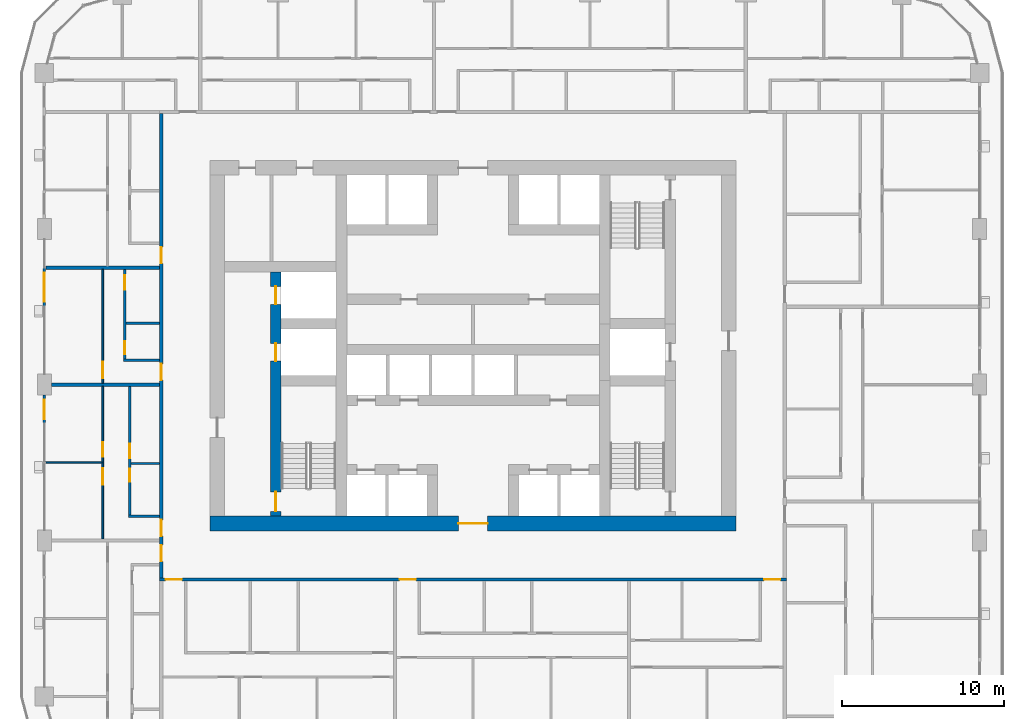
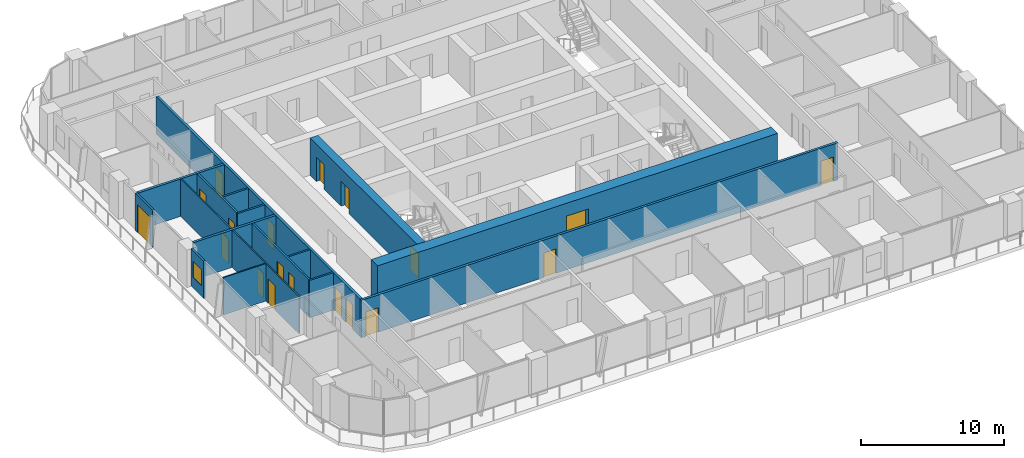
# One storey, part 10 of 22: 19 doors, 17 walls, 1 window, 20 openings.
"""IFC4 building model written with IfcOpenShell, lengths in metres."""

from ifc_helpers import new_model, si_unit, direction, frame, frame_2d, origin, place, context, subcontext, project, spatial, rectangle, extrude, material, layer, layer_set, type_object, element, fill, save


model = new_model("IFC4")

# Units and contexts
model_context = context("Model", 3, precision=1e-05, world=origin(), true_north=direction((0.0, 1.0)))
body_context = subcontext(model_context, "Body", "Model", "MODEL_VIEW")
ifc_project = project(units=[si_unit("LENGTHUNIT", "METRE"), si_unit("AREAUNIT", "SQUARE_METRE"), si_unit("VOLUMEUNIT", "CUBIC_METRE"), si_unit("PLANEANGLEUNIT", "RADIAN"), si_unit("MASSUNIT", "GRAM", prefix="KILO")], contexts=[model_context])

# Site, building, storey
site_placement = place(None, origin())
site = spatial("IfcSite", under=ifc_project, at=site_placement, CompositionType="ELEMENT")
building_placement = place(site_placement, origin())
building = spatial("IfcBuilding", under=site, at=building_placement, Name="Madar Terraces", CompositionType="ELEMENT")
storey_placement = place(building_placement, frame((0.0, 0.0, 62.800048828125)))
storey = spatial("IfcBuildingStorey", under=building, at=storey_placement, Name="L15", CompositionType="ELEMENT", Elevation=62.800048828125)

# Wall, openings, doors
ifc_material_1 = material(Name="Concrete C80/95", Category="concrete")
ifc_layer_1 = layer(ifc_material_1, 0.64990234375)
ifc_layer_set_1 = layer_set([ifc_layer_1], Name="Concrete C80/95 (CIW2 RC wall 650)")
wall_type_1 = type_object("IfcWallType", Name="CIW2 RC wall 650", PredefinedType="SHEAR", material=ifc_layer_set_1)
wall_1_placement = place(storey_placement, frame((19.050048828125, 15.89990234375, 0.0), z_axis=(0.0, 0.0, 1.0), x_axis=(0.0, 1.0, 0.0)))
wall_1 = element("IfcWall", 1, at=wall_1_placement, inside=storey, type_object=wall_type_1, Name="CORE SHAFT WALL", PredefinedType="SHEAR", context=body_context, shape_type="SweptSolid", body=[
    extrude(rectangle(XDim=15.025146484375, YDim=0.64990234375, at=frame_2d((7.5126953125, 0.0))), origin(), (0.0, 0.0, 1.0), 3.199951171875),
])
opening_1_placement = place(wall_1_placement, frame((9.550048828125, 0.0, 0.0)))
opening_1 = element("IfcOpeningElement", 2, at=opening_1_placement, cuts=wall_1, Name="Opening LD", PredefinedType="OPENING", context=body_context, shape_type="SweptSolid", body=[
    extrude(rectangle(XDim=1.10009765625, YDim=2.10009765625, at=frame_2d((0.550048828125, 1.050048828125))), frame((0.0, 0.3349609375, 0.0), z_axis=(0.0, -1.0, 0.0), x_axis=(1.0, 0.0, 0.0)), (0.0, 0.0, 1.0), 0.669921875),
])
opening_2_placement = place(wall_1_placement, frame((13.050048828125, 0.0, 0.0)))
opening_2 = element("IfcOpeningElement", 3, at=opening_2_placement, cuts=wall_1, Name="Opening LD", PredefinedType="OPENING", context=body_context, shape_type="SweptSolid", body=[
    extrude(rectangle(XDim=1.10009765625, YDim=2.10009765625, at=frame_2d((0.550048828125, 1.050048828125))), frame((0.0, 0.3349609375, 0.0), z_axis=(0.0, -1.0, 0.0), x_axis=(1.0, 0.0, 0.0)), (0.0, 0.0, 1.0), 0.669921875),
])
opening_3_placement = place(wall_1_placement, frame((0.300048828125, 0.0, 0.0)))
opening_3 = element("IfcOpeningElement", 4, at=opening_3_placement, cuts=wall_1, Name="Opening SD1", PredefinedType="OPENING", context=body_context, shape_type="SweptSolid", body=[
    extrude(rectangle(XDim=1.199951171875, YDim=2.10009765625, at=frame_2d((0.60009765625, 1.050048828125))), frame((0.0, 0.3349609375, 0.0), z_axis=(0.0, -1.0, 0.0), x_axis=(1.0, 0.0, 0.0)), (0.0, 0.0, 1.0), 0.669921875),
])
ifc_material_2 = material(Name="Stainless steel panel", Category="steel")
door_type_1 = type_object("IfcDoorType", Name="Lift landing door 1100 x 2100", OperationType="DOUBLE_DOOR_SLIDING", PredefinedType="DOOR", material=ifc_material_2)
door_1_placement = place(opening_1_placement, origin())
door_1 = element("IfcDoor", 5, at=door_1_placement, inside=storey, type_object=door_type_1, Name="LIFT LANDING DOOR", OperationType="DOUBLE_DOOR_SLIDING", OverallHeight=2.10009765625, OverallWidth=1.10009765625, PredefinedType="DOOR", context=body_context, shape_type="SweptSolid", body=[
    extrude(rectangle(XDim=1.10009765625, YDim=2.10009765625, at=frame_2d((0.550048828125, 1.050048828125))), frame((0.0, 0.02490234375, 0.0), z_axis=(0.0, -1.0, 0.0), x_axis=(1.0, 0.0, 0.0)), (0.0, 0.0, 1.0), 0.050048828125),
])
fill(opening_1, door_1)
door_2_placement = place(opening_2_placement, origin())
door_2 = element("IfcDoor", 6, at=door_2_placement, inside=storey, type_object=door_type_1, Name="LIFT LANDING DOOR", OperationType="DOUBLE_DOOR_SLIDING", OverallHeight=2.10009765625, OverallWidth=1.10009765625, PredefinedType="DOOR", context=body_context, shape_type="SweptSolid", body=[
    extrude(rectangle(XDim=1.10009765625, YDim=2.10009765625, at=frame_2d((0.550048828125, 1.050048828125))), frame((0.0, 0.02490234375, 0.0), z_axis=(0.0, -1.0, 0.0), x_axis=(1.0, 0.0, 0.0)), (0.0, 0.0, 1.0), 0.050048828125),
])
fill(opening_2, door_2)
ifc_material_3 = material(Name="Steel door leaf", Category="steel")
door_type_2 = type_object("IfcDoorType", Name="Stair door 1200 x 2100", OperationType="NOTDEFINED", PredefinedType="DOOR", material=ifc_material_3)
door_3_placement = place(opening_3_placement, frame((1.199951171875, 0.0, 0.0), z_axis=(0.0, 0.0, 1.0), x_axis=(-1.0, 0.0, 0.0)))
door_3 = element("IfcDoor", 7, at=door_3_placement, inside=storey, type_object=door_type_2, Name="STAIR DOOR", OperationType="SINGLE_SWING_LEFT", OverallHeight=2.10009765625, OverallWidth=1.199951171875, PredefinedType="DOOR", context=body_context, shape_type="SweptSolid", body=[
    extrude(rectangle(XDim=1.199951171875, YDim=2.10009765625, at=frame_2d((0.60009765625, 1.050048828125))), frame((0.0, 0.02490234375, 0.0), z_axis=(0.0, -1.0, 0.0), x_axis=(1.0, 0.0, 0.0)), (0.0, 0.0, 1.0), 0.050048828125),
])
fill(opening_3, door_3)

# Wall, opening, door
ifc_material_4 = material(Name="Concrete C80/95", Category="concrete")
ifc_layer_2 = layer(ifc_material_4, 0.89990234375)
ifc_layer_set_2 = layer_set([ifc_layer_2], Name="Concrete C80/95 (CRW2 RC wall 900)")
wall_type_2 = type_object("IfcWallType", Name="CRW2 RC wall 900", PredefinedType="SHEAR", material=ifc_layer_set_2)
wall_2_placement = place(storey_placement, frame((15.0, 15.449951171875, 0.0), z_axis=(0.0, 0.0, 1.0), x_axis=(1.0, 0.0, 0.0)))
wall_2 = element("IfcWall", 8, at=wall_2_placement, inside=storey, type_object=wall_type_2, Name="CORE OUTER WALL", PredefinedType="SHEAR", context=body_context, shape_type="SweptSolid", body=[
    extrude(rectangle(XDim=32.39990234375, YDim=0.89990234375, at=frame_2d((16.199951171875, 0.0))), origin(), (0.0, 0.0, 1.0), 3.199951171875),
])
opening_4_placement = place(wall_2_placement, frame((15.300048828125, 0.0, 0.0)))
opening_4 = element("IfcOpeningElement", 9, at=opening_4_placement, cuts=wall_2, Name="Opening KD1", PredefinedType="OPENING", context=body_context, shape_type="SweptSolid", body=[
    extrude(rectangle(XDim=1.800048828125, YDim=2.10009765625, at=frame_2d((0.89990234375, 1.050048828125))), frame((0.0, 0.4599609375, 0.0), z_axis=(0.0, -1.0, 0.0), x_axis=(1.0, 0.0, 0.0)), (0.0, 0.0, 1.0), 0.919921875),
])
ifc_material_5 = material(Name="Steel door leaf", Category="steel")
door_type_3 = type_object("IfcDoorType", Name="Lobby door pair 1800 x 2100", OperationType="DOUBLE_DOOR_SINGLE_SWING", PredefinedType="DOOR", material=ifc_material_5)
door_4_placement = place(opening_4_placement, frame((1.800048828125, 0.0, 0.0), z_axis=(0.0, 0.0, 1.0), x_axis=(-1.0, 0.0, 0.0)))
door_4 = element("IfcDoor", 10, at=door_4_placement, inside=storey, type_object=door_type_3, Name="LIFT LOBBY DOOR", OperationType="DOUBLE_DOOR_SINGLE_SWING", OverallHeight=2.10009765625, OverallWidth=1.800048828125, PredefinedType="DOOR", context=body_context, shape_type="SweptSolid", body=[
    extrude(rectangle(XDim=1.800048828125, YDim=2.10009765625, at=frame_2d((0.89990234375, 1.050048828125))), frame((0.0, 0.02490234375, 0.0), z_axis=(0.0, -1.0, 0.0), x_axis=(1.0, 0.0, 0.0)), (0.0, 0.0, 1.0), 0.050048828125),
])
fill(opening_4, door_4)

ifc_material_6 = material(Name="Aluminium composite panel, black, over insulated backing", Category="aluminium")
ifc_layer_3 = layer(ifc_material_6, 0.14990234375)
ifc_layer_set_3 = layer_set([ifc_layer_3], Name="Facade bay panel 150")
wall_type_3 = type_object("IfcWallType", Name="Facade bay panel 150", PredefinedType="SOLIDWALL", material=ifc_layer_set_3)
wall_3_placement = place(storey_placement, frame((4.800048828125, 31.199951171875, 0.0), z_axis=(0.0, 0.0, 1.0), x_axis=(0.0, -1.0, 0.0)))
wall_3 = element("IfcWall", 11, at=wall_3_placement, inside=storey, type_object=wall_type_3, Name="Facade bay panel", PredefinedType="SOLIDWALL", context=body_context, shape_type="SweptSolid", body=[
    extrude(rectangle(XDim=2.39990234375, YDim=0.14990234375, at=frame_2d((1.199951171875, 0.0))), origin(), (0.0, 0.0, 1.0), 3.199951171875),
])
opening_5_placement = place(wall_3_placement, frame((0.300048828125, 0.0, 0.0)))
opening_5 = element("IfcOpeningElement", 12, at=opening_5_placement, cuts=wall_3, Name="Opening ED1", PredefinedType="OPENING", context=body_context, shape_type="SweptSolid", body=[
    extrude(rectangle(XDim=1.800048828125, YDim=2.39990234375, at=frame_2d((0.89990234375, 1.199951171875))), frame((0.0, 0.0849609375, 0.0), z_axis=(0.0, -1.0, 0.0), x_axis=(1.0, 0.0, 0.0)), (0.0, 0.0, 1.0), 0.169921875),
])
ifc_material_7 = material(Name="Glass, clear, with black aluminium frame", Category="aluminium")
door_type_4 = type_object("IfcDoorType", Name="Balcony and terrace sliding door 1800 x 2400", OperationType="SLIDING_TO_LEFT", PredefinedType="DOOR", material=ifc_material_7)
door_5_placement = place(opening_5_placement, origin())
door_5 = element("IfcDoor", 13, at=door_5_placement, inside=storey, type_object=door_type_4, Name="Balcony door", OperationType="SLIDING_TO_LEFT", OverallHeight=2.39990234375, OverallWidth=1.800048828125, PredefinedType="DOOR", context=body_context, shape_type="SweptSolid", body=[
    extrude(rectangle(XDim=1.800048828125, YDim=2.39990234375, at=frame_2d((0.89990234375, 1.199951171875))), frame((0.0, 0.02490234375, 0.0), z_axis=(0.0, -1.0, 0.0), x_axis=(1.0, 0.0, 0.0)), (0.0, 0.0, 1.0), 0.050048828125),
])
fill(opening_5, door_5)

# Wall, opening, window
wall_4_placement = place(storey_placement, frame((4.800048828125, 23.35009765625, 0.0), z_axis=(0.0, 0.0, 1.0), x_axis=(0.0, -1.0, 0.0)))
wall_4 = element("IfcWall", 14, at=wall_4_placement, inside=storey, type_object=wall_type_3, Name="Facade bay panel", PredefinedType="SOLIDWALL", context=body_context, shape_type="SweptSolid", body=[
    extrude(rectangle(XDim=1.75, YDim=0.14990234375, at=frame_2d((0.875, 0.0))), origin(), (0.0, 0.0, 1.0), 3.199951171875),
])
opening_6_placement = place(wall_4_placement, frame((0.27490234375, 0.0, 0.89990234375)))
opening_6 = element("IfcOpeningElement", 15, at=opening_6_placement, cuts=wall_4, Name="Opening W1", PredefinedType="OPENING", context=body_context, shape_type="SweptSolid", body=[
    extrude(rectangle(XDim=1.199951171875, YDim=1.39990234375, at=frame_2d((0.60009765625, 0.699951171875))), frame((0.0, 0.0849609375, 0.0), z_axis=(0.0, -1.0, 0.0), x_axis=(1.0, 0.0, 0.0)), (0.0, 0.0, 1.0), 0.169921875),
])
ifc_material_8 = material(Name="Glass, clear, with black aluminium frame", Category="aluminium")
window_type = type_object("IfcWindowType", Name="Vent window 1200 x 1400", PartitioningType="SINGLE_PANEL", PredefinedType="WINDOW", material=ifc_material_8)
window_placement = place(opening_6_placement, origin())
window = element("IfcWindow", 16, at=window_placement, inside=storey, type_object=window_type, Name="Operable vent window", OverallHeight=1.39990234375, OverallWidth=1.199951171875, PartitioningType="SINGLE_PANEL", PredefinedType="WINDOW", context=body_context, shape_type="SweptSolid", body=[
    extrude(rectangle(XDim=1.199951171875, YDim=1.39990234375, at=frame_2d((0.60009765625, 0.699951171875))), frame((0.0, 0.030029296875, 0.0), z_axis=(0.0, -1.0, 0.0), x_axis=(1.0, 0.0, 0.0)), (0.0, 0.0, 1.0), 0.06005859375),
])
fill(opening_6, window)

# Wall, opening, door
ifc_material_9 = material(Name="Gypsum board on steel studs", Category="steel")
ifc_layer_4 = layer(ifc_material_9, 0.10009765625)
ifc_layer_set_4 = layer_set([ifc_layer_4], Name="Flat partition 100")
wall_type_4 = type_object("IfcWallType", Name="Flat partition 100", PredefinedType="PARTITIONING", material=ifc_layer_set_4)
wall_5_placement = place(storey_placement, frame((8.39990234375, 24.10009765625, 0.0), z_axis=(0.0, 0.0, 1.0), x_axis=(0.0, 1.0, 0.0)))
wall_5 = element("IfcWall", 17, at=wall_5_placement, inside=storey, type_object=wall_type_4, Name="Flat partition 100", PredefinedType="PARTITIONING", context=body_context, shape_type="SweptSolid", body=[
    extrude(rectangle(XDim=7.0, YDim=0.10009765625, at=frame_2d((3.5, 0.0))), origin(), (0.0, 0.0, 1.0), 3.199951171875),
])
opening_7_placement = place(wall_5_placement, frame((0.300048828125, 0.0, 0.0)))
opening_7 = element("IfcOpeningElement", 18, at=opening_7_placement, cuts=wall_5, Name="Opening D3", PredefinedType="OPENING", context=body_context, shape_type="SweptSolid", body=[
    extrude(rectangle(XDim=1.0, YDim=2.10009765625, at=frame_2d((0.5, 1.050048828125))), frame((0.0, 0.06005859375, 0.0), z_axis=(0.0, -1.0, 0.0), x_axis=(1.0, 0.0, 0.0)), (0.0, 0.0, 1.0), 0.1201171875),
])
ifc_material_10 = material(Name="Timber door leaf", Category="wood")
door_type_5 = type_object("IfcDoorType", Name="Flat living room door 1000", OperationType="NOTDEFINED", PredefinedType="DOOR", material=ifc_material_10)
door_6_placement = place(opening_7_placement, origin())
door_6 = element("IfcDoor", 19, at=door_6_placement, inside=storey, type_object=door_type_5, Name="Flat living room door 1000", OperationType="SINGLE_SWING_LEFT", OverallHeight=2.10009765625, OverallWidth=1.0, PredefinedType="DOOR", context=body_context, shape_type="SweptSolid", body=[
    extrude(rectangle(XDim=1.0, YDim=2.10009765625, at=frame_2d((0.5, 1.050048828125))), frame((0.0, 0.02490234375, 0.0), z_axis=(0.0, -1.0, 0.0), x_axis=(1.0, 0.0, 0.0)), (0.0, 0.0, 1.0), 0.050048828125),
])
fill(opening_7, door_6)

# Wall
wall_6_placement = place(storey_placement, frame((8.35009765625, 19.199951171875, 0.0), z_axis=(0.0, 0.0, 1.0), x_axis=(-1.0, 0.0, 0.0)))
element("IfcWall", 20, at=wall_6_placement, inside=storey, type_object=wall_type_4, Name="Flat partition 100", PredefinedType="PARTITIONING", context=body_context, shape_type="SweptSolid", body=[
    extrude(rectangle(XDim=3.4501953125, YDim=0.10009765625, at=frame_2d((1.72509765625, 0.0))), origin(), (0.0, 0.0, 1.0), 3.199951171875),
])

# Wall, openings, doors
wall_7_placement = place(storey_placement, frame((8.39990234375, 14.5, 0.0), z_axis=(0.0, 0.0, 1.0), x_axis=(0.0, 1.0, 0.0)))
wall_7 = element("IfcWall", 21, at=wall_7_placement, inside=storey, type_object=wall_type_4, Name="Flat partition 100", PredefinedType="PARTITIONING", context=body_context, shape_type="SweptSolid", body=[
    extrude(rectangle(XDim=9.39990234375, YDim=0.10009765625, at=frame_2d((4.699951171875, 0.0))), origin(), (0.0, 0.0, 1.0), 3.199951171875),
])
opening_8_placement = place(wall_7_placement, frame((3.35009765625, 0.0, 0.0)))
opening_8 = element("IfcOpeningElement", 22, at=opening_8_placement, cuts=wall_7, Name="Opening D3", PredefinedType="OPENING", context=body_context, shape_type="SweptSolid", body=[
    extrude(rectangle(XDim=1.0, YDim=2.10009765625, at=frame_2d((0.5, 1.050048828125))), frame((0.0, 0.06005859375, 0.0), z_axis=(0.0, -1.0, 0.0), x_axis=(1.0, 0.0, 0.0)), (0.0, 0.0, 1.0), 0.1201171875),
])
opening_9_placement = place(wall_7_placement, frame((5.050048828125, 0.0, 0.0)))
opening_9 = element("IfcOpeningElement", 23, at=opening_9_placement, cuts=wall_7, Name="Opening D2", PredefinedType="OPENING", context=body_context, shape_type="SweptSolid", body=[
    extrude(rectangle(XDim=0.89990234375, YDim=2.10009765625, at=frame_2d((0.449951171875, 1.050048828125))), frame((0.0, 0.06005859375, 0.0), z_axis=(0.0, -1.0, 0.0), x_axis=(1.0, 0.0, 0.0)), (0.0, 0.0, 1.0), 0.1201171875),
])
door_7_placement = place(opening_8_placement, origin())
door_7 = element("IfcDoor", 24, at=door_7_placement, inside=storey, type_object=door_type_5, Name="Flat living room door 1000", OperationType="SINGLE_SWING_RIGHT", OverallHeight=2.10009765625, OverallWidth=1.0, PredefinedType="DOOR", context=body_context, shape_type="SweptSolid", body=[
    extrude(rectangle(XDim=1.0, YDim=2.10009765625, at=frame_2d((0.5, 1.050048828125))), frame((0.0, 0.02490234375, 0.0), z_axis=(0.0, -1.0, 0.0), x_axis=(1.0, 0.0, 0.0)), (0.0, 0.0, 1.0), 0.050048828125),
])
fill(opening_8, door_7)
ifc_material_11 = material(Name="Timber door leaf", Category="wood")
door_type_6 = type_object("IfcDoorType", Name="Flat room door 900", OperationType="NOTDEFINED", PredefinedType="DOOR", material=ifc_material_11)
door_8_placement = place(opening_9_placement, origin())
door_8 = element("IfcDoor", 25, at=door_8_placement, inside=storey, type_object=door_type_6, Name="Flat room door 900", OperationType="SINGLE_SWING_LEFT", OverallHeight=2.10009765625, OverallWidth=0.89990234375, PredefinedType="DOOR", context=body_context, shape_type="SweptSolid", body=[
    extrude(rectangle(XDim=0.89990234375, YDim=2.10009765625, at=frame_2d((0.449951171875, 1.050048828125))), frame((0.0, 0.02490234375, 0.0), z_axis=(0.0, -1.0, 0.0), x_axis=(1.0, 0.0, 0.0)), (0.0, 0.0, 1.0), 0.050048828125),
])
fill(opening_9, door_8)

ifc_material_12 = material(Name="Lightweight blockwork", Category="masonry")
ifc_layer_5 = layer(ifc_material_12, 0.199951171875)
ifc_layer_set_5 = layer_set([ifc_layer_5], Name="Flat party and entrance wall 200")
wall_type_5 = type_object("IfcWallType", Name="Flat party and entrance wall 200", PredefinedType="PARTITIONING", material=ifc_layer_set_5)
wall_8_placement = place(storey_placement, frame((50.5, 12.0, 0.0), z_axis=(0.0, 0.0, 1.0), x_axis=(-1.0, 0.0, 0.0)))
wall_8 = element("IfcWall", 26, at=wall_8_placement, inside=storey, type_object=wall_type_5, Name="Flat party and entrance wall 200", PredefinedType="PARTITIONING", context=body_context, shape_type="SweptSolid", body=[
    extrude(rectangle(XDim=38.60009765625, YDim=0.199951171875, at=frame_2d((19.300048828125, 0.0))), origin(), (0.0, 0.0, 1.0), 3.199951171875),
])
opening_10_placement = place(wall_8_placement, frame((37.22509765625, 0.0, 0.0)))
opening_10 = element("IfcOpeningElement", 27, at=opening_10_placement, cuts=wall_8, Name="Opening D1", PredefinedType="OPENING", context=body_context, shape_type="SweptSolid", body=[
    extrude(rectangle(XDim=1.0, YDim=2.10009765625, at=frame_2d((0.5, 1.050048828125))), frame((0.0, 0.10986328125, 0.0), z_axis=(0.0, -1.0, 0.0), x_axis=(1.0, 0.0, 0.0)), (0.0, 0.0, 1.0), 0.219970703125),
])
opening_11_placement = place(wall_8_placement, frame((22.824951171875, 0.0, 0.0)))
opening_11 = element("IfcOpeningElement", 28, at=opening_11_placement, cuts=wall_8, Name="Opening D1", PredefinedType="OPENING", context=body_context, shape_type="SweptSolid", body=[
    extrude(rectangle(XDim=1.0, YDim=2.10009765625, at=frame_2d((0.5, 1.050048828125))), frame((0.0, 0.10986328125, 0.0), z_axis=(0.0, -1.0, 0.0), x_axis=(1.0, 0.0, 0.0)), (0.0, 0.0, 1.0), 0.219970703125),
])
opening_12_placement = place(wall_8_placement, frame((0.375, 0.0, 0.0)))
opening_12 = element("IfcOpeningElement", 29, at=opening_12_placement, cuts=wall_8, Name="Opening D1", PredefinedType="OPENING", context=body_context, shape_type="SweptSolid", body=[
    extrude(rectangle(XDim=1.0, YDim=2.10009765625, at=frame_2d((0.5, 1.050048828125))), frame((0.0, 0.10986328125, 0.0), z_axis=(0.0, -1.0, 0.0), x_axis=(1.0, 0.0, 0.0)), (0.0, 0.0, 1.0), 0.219970703125),
])
ifc_material_13 = material(Name="Timber fire door leaf", Category="wood")
door_type_7 = type_object("IfcDoorType", Name="Flat entrance door 1000 FD30S", OperationType="NOTDEFINED", PredefinedType="DOOR", material=ifc_material_13)
door_9_placement = place(opening_10_placement, origin())
door_9 = element("IfcDoor", 30, at=door_9_placement, inside=storey, type_object=door_type_7, Name="Flat entrance door 1000 FD30S", OperationType="SINGLE_SWING_RIGHT", OverallHeight=2.10009765625, OverallWidth=1.0, PredefinedType="DOOR", context=body_context, shape_type="SweptSolid", body=[
    extrude(rectangle(XDim=1.0, YDim=2.10009765625, at=frame_2d((0.5, 1.050048828125))), frame((0.0, 0.02490234375, 0.0), z_axis=(0.0, -1.0, 0.0), x_axis=(1.0, 0.0, 0.0)), (0.0, 0.0, 1.0), 0.050048828125),
])
fill(opening_10, door_9)
door_10_placement = place(opening_11_placement, origin())
door_10 = element("IfcDoor", 31, at=door_10_placement, inside=storey, type_object=door_type_7, Name="Flat entrance door 1000 FD30S", OperationType="SINGLE_SWING_RIGHT", OverallHeight=2.10009765625, OverallWidth=1.0, PredefinedType="DOOR", context=body_context, shape_type="SweptSolid", body=[
    extrude(rectangle(XDim=1.0, YDim=2.10009765625, at=frame_2d((0.5, 1.050048828125))), frame((0.0, 0.02490234375, 0.0), z_axis=(0.0, -1.0, 0.0), x_axis=(1.0, 0.0, 0.0)), (0.0, 0.0, 1.0), 0.050048828125),
])
fill(opening_11, door_10)
door_11_placement = place(opening_12_placement, origin())
door_11 = element("IfcDoor", 32, at=door_11_placement, inside=storey, type_object=door_type_7, Name="Flat entrance door 1000 FD30S", OperationType="SINGLE_SWING_LEFT", OverallHeight=2.10009765625, OverallWidth=1.0, PredefinedType="DOOR", context=body_context, shape_type="SweptSolid", body=[
    extrude(rectangle(XDim=1.0, YDim=2.10009765625, at=frame_2d((0.5, 1.050048828125))), frame((0.0, 0.02490234375, 0.0), z_axis=(0.0, -1.0, 0.0), x_axis=(1.0, 0.0, 0.0)), (0.0, 0.0, 1.0), 0.050048828125),
])
fill(opening_12, door_11)

wall_9_placement = place(storey_placement, frame((12.0, 12.10009765625, 0.0), z_axis=(0.0, 0.0, 1.0), x_axis=(0.0, 1.0, 0.0)))
wall_9 = element("IfcWall", 33, at=wall_9_placement, inside=storey, type_object=wall_type_5, Name="Flat party and entrance wall 200", PredefinedType="PARTITIONING", context=body_context, shape_type="SweptSolid", body=[
    extrude(rectangle(XDim=28.599853515625, YDim=0.199951171875, at=frame_2d((14.2998046875, 0.0))), origin(), (0.0, 0.0, 1.0), 3.199951171875),
])
opening_13_placement = place(wall_9_placement, frame((19.375, 0.0, 0.0)))
opening_13 = element("IfcOpeningElement", 34, at=opening_13_placement, cuts=wall_9, Name="Opening D1", PredefinedType="OPENING", context=body_context, shape_type="SweptSolid", body=[
    extrude(rectangle(XDim=1.0, YDim=2.10009765625, at=frame_2d((0.5, 1.050048828125))), frame((0.0, 0.10986328125, 0.0), z_axis=(0.0, -1.0, 0.0), x_axis=(1.0, 0.0, 0.0)), (0.0, 0.0, 1.0), 0.219970703125),
])
opening_14_placement = place(wall_9_placement, frame((12.175048828125, 0.0, 0.0)))
opening_14 = element("IfcOpeningElement", 35, at=opening_14_placement, cuts=wall_9, Name="Opening D1", PredefinedType="OPENING", context=body_context, shape_type="SweptSolid", body=[
    extrude(rectangle(XDim=1.0, YDim=2.10009765625, at=frame_2d((0.5, 1.050048828125))), frame((0.0, 0.10986328125, 0.0), z_axis=(0.0, -1.0, 0.0), x_axis=(1.0, 0.0, 0.0)), (0.0, 0.0, 1.0), 0.219970703125),
])
opening_15_placement = place(wall_9_placement, frame((2.574951171875, 0.0, 0.0)))
opening_15 = element("IfcOpeningElement", 36, at=opening_15_placement, cuts=wall_9, Name="Opening D1", PredefinedType="OPENING", context=body_context, shape_type="SweptSolid", body=[
    extrude(rectangle(XDim=1.0, YDim=2.10009765625, at=frame_2d((0.5, 1.050048828125))), frame((0.0, 0.10986328125, 0.0), z_axis=(0.0, -1.0, 0.0), x_axis=(1.0, 0.0, 0.0)), (0.0, 0.0, 1.0), 0.219970703125),
])
opening_16_placement = place(wall_9_placement, frame((1.02490234375, 0.0, 0.0)))
opening_16 = element("IfcOpeningElement", 37, at=opening_16_placement, cuts=wall_9, Name="Opening D1", PredefinedType="OPENING", context=body_context, shape_type="SweptSolid", body=[
    extrude(rectangle(XDim=1.0, YDim=2.10009765625, at=frame_2d((0.5, 1.050048828125))), frame((0.0, 0.10986328125, 0.0), z_axis=(0.0, -1.0, 0.0), x_axis=(1.0, 0.0, 0.0)), (0.0, 0.0, 1.0), 0.219970703125),
])
door_12_placement = place(opening_13_placement, origin())
door_12 = element("IfcDoor", 38, at=door_12_placement, inside=storey, type_object=door_type_7, Name="Flat entrance door 1000 FD30S", OperationType="SINGLE_SWING_LEFT", OverallHeight=2.10009765625, OverallWidth=1.0, PredefinedType="DOOR", context=body_context, shape_type="SweptSolid", body=[
    extrude(rectangle(XDim=1.0, YDim=2.10009765625, at=frame_2d((0.5, 1.050048828125))), frame((0.0, 0.02490234375, 0.0), z_axis=(0.0, -1.0, 0.0), x_axis=(1.0, 0.0, 0.0)), (0.0, 0.0, 1.0), 0.050048828125),
])
fill(opening_13, door_12)
door_13_placement = place(opening_14_placement, origin())
door_13 = element("IfcDoor", 39, at=door_13_placement, inside=storey, type_object=door_type_7, Name="Flat entrance door 1000 FD30S", OperationType="SINGLE_SWING_LEFT", OverallHeight=2.10009765625, OverallWidth=1.0, PredefinedType="DOOR", context=body_context, shape_type="SweptSolid", body=[
    extrude(rectangle(XDim=1.0, YDim=2.10009765625, at=frame_2d((0.5, 1.050048828125))), frame((0.0, 0.02490234375, 0.0), z_axis=(0.0, -1.0, 0.0), x_axis=(1.0, 0.0, 0.0)), (0.0, 0.0, 1.0), 0.050048828125),
])
fill(opening_14, door_13)
door_14_placement = place(opening_15_placement, origin())
door_14 = element("IfcDoor", 40, at=door_14_placement, inside=storey, type_object=door_type_7, Name="Flat entrance door 1000 FD30S", OperationType="SINGLE_SWING_LEFT", OverallHeight=2.10009765625, OverallWidth=1.0, PredefinedType="DOOR", context=body_context, shape_type="SweptSolid", body=[
    extrude(rectangle(XDim=1.0, YDim=2.10009765625, at=frame_2d((0.5, 1.050048828125))), frame((0.0, 0.02490234375, 0.0), z_axis=(0.0, -1.0, 0.0), x_axis=(1.0, 0.0, 0.0)), (0.0, 0.0, 1.0), 0.050048828125),
])
fill(opening_15, door_14)
door_15_placement = place(opening_16_placement, origin())
door_15 = element("IfcDoor", 41, at=door_15_placement, inside=storey, type_object=door_type_7, Name="Flat entrance door 1000 FD30S", OperationType="SINGLE_SWING_RIGHT", OverallHeight=2.10009765625, OverallWidth=1.0, PredefinedType="DOOR", context=body_context, shape_type="SweptSolid", body=[
    extrude(rectangle(XDim=1.0, YDim=2.10009765625, at=frame_2d((0.5, 1.050048828125))), frame((0.0, 0.02490234375, 0.0), z_axis=(0.0, -1.0, 0.0), x_axis=(1.0, 0.0, 0.0)), (0.0, 0.0, 1.0), 0.050048828125),
])
fill(opening_16, door_15)

# Walls
wall_10_placement = place(storey_placement, frame((4.89990234375, 31.199951171875, 0.0), z_axis=(0.0, 0.0, 1.0), x_axis=(1.0, 0.0, 0.0)))
element("IfcWall", 42, at=wall_10_placement, inside=storey, type_object=wall_type_5, Name="Flat party and entrance wall 200", PredefinedType="PARTITIONING", context=body_context, shape_type="SweptSolid", body=[
    extrude(rectangle(XDim=7.0, YDim=0.199951171875, at=frame_2d((3.5, 0.0))), origin(), (0.0, 0.0, 1.0), 3.199951171875),
])
wall_11_placement = place(storey_placement, frame((5.22509765625, 24.0, 0.0), z_axis=(0.0, 0.0, 1.0), x_axis=(1.0, 0.0, 0.0)))
element("IfcWall", 43, at=wall_11_placement, inside=storey, type_object=wall_type_5, Name="Flat party and entrance wall 200", PredefinedType="PARTITIONING", context=body_context, shape_type="SweptSolid", body=[
    extrude(rectangle(XDim=6.6748046875, YDim=0.199951171875, at=frame_2d((3.33740234375, 0.0))), origin(), (0.0, 0.0, 1.0), 3.199951171875),
])
ifc_material_14 = material(Name="Lightweight blockwork", Category="masonry")
ifc_layer_6 = layer(ifc_material_14, 0.14990234375)
ifc_layer_set_6 = layer_set([ifc_layer_6], Name="Flat wet-room partition 150")
wall_type_6 = type_object("IfcWallType", Name="Flat wet-room partition 150", PredefinedType="PARTITIONING", material=ifc_layer_set_6)
wall_12_placement = place(storey_placement, frame((11.89990234375, 27.784912109375, 0.0), z_axis=(0.0, 0.0, 1.0), x_axis=(-1.0, 0.0, 0.0)))
element("IfcWall", 44, at=wall_12_placement, inside=storey, type_object=wall_type_6, Name="Flat wet-room partition 150", PredefinedType="PARTITIONING", context=body_context, shape_type="SweptSolid", body=[
    extrude(rectangle(XDim=2.074951171875, YDim=0.14990234375, at=frame_2d((1.03759765625, 0.0))), origin(), (0.0, 0.0, 1.0), 3.199951171875),
])
wall_13_placement = place(storey_placement, frame((11.89990234375, 25.5, 0.0), z_axis=(0.0, 0.0, 1.0), x_axis=(-1.0, 0.0, 0.0)))
element("IfcWall", 45, at=wall_13_placement, inside=storey, type_object=wall_type_6, Name="Flat wet-room partition 150", PredefinedType="PARTITIONING", context=body_context, shape_type="SweptSolid", body=[
    extrude(rectangle(XDim=2.224853515625, YDim=0.14990234375, at=frame_2d((1.1123046875, 0.0))), origin(), (0.0, 0.0, 1.0), 3.199951171875),
])

# Wall, openings, doors
wall_14_placement = place(storey_placement, frame((9.75, 31.10009765625, 0.0), z_axis=(0.0, 0.0, 1.0), x_axis=(0.0, -1.0, 0.0)))
wall_14 = element("IfcWall", 46, at=wall_14_placement, inside=storey, type_object=wall_type_6, Name="Flat wet-room partition 150", PredefinedType="PARTITIONING", context=body_context, shape_type="SweptSolid", body=[
    extrude(rectangle(XDim=5.525146484375, YDim=0.14990234375, at=frame_2d((2.7626953125, 0.0))), origin(), (0.0, 0.0, 1.0), 3.199951171875),
])
opening_17_placement = place(wall_14_placement, frame((4.425048828125, 0.0, 0.0)))
opening_17 = element("IfcOpeningElement", 47, at=opening_17_placement, cuts=wall_14, Name="Opening D4", PredefinedType="OPENING", context=body_context, shape_type="SweptSolid", body=[
    extrude(rectangle(XDim=0.800048828125, YDim=2.10009765625, at=frame_2d((0.39990234375, 1.050048828125))), frame((0.0, 0.0849609375, 0.0), z_axis=(0.0, -1.0, 0.0), x_axis=(1.0, 0.0, 0.0)), (0.0, 0.0, 1.0), 0.169921875),
])
opening_18_placement = place(wall_14_placement, frame((0.35009765625, 0.0, 0.0)))
opening_18 = element("IfcOpeningElement", 48, at=opening_18_placement, cuts=wall_14, Name="Opening D2", PredefinedType="OPENING", context=body_context, shape_type="SweptSolid", body=[
    extrude(rectangle(XDim=0.89990234375, YDim=2.10009765625, at=frame_2d((0.449951171875, 1.050048828125))), frame((0.0, 0.0849609375, 0.0), z_axis=(0.0, -1.0, 0.0), x_axis=(1.0, 0.0, 0.0)), (0.0, 0.0, 1.0), 0.169921875),
])
ifc_material_15 = material(Name="Timber door leaf", Category="wood")
door_type_8 = type_object("IfcDoorType", Name="Flat bathroom door 800", OperationType="NOTDEFINED", PredefinedType="DOOR", material=ifc_material_15)
door_16_placement = place(opening_17_placement, origin())
door_16 = element("IfcDoor", 49, at=door_16_placement, inside=storey, type_object=door_type_8, Name="Flat bathroom door 800", OperationType="SINGLE_SWING_RIGHT", OverallHeight=2.10009765625, OverallWidth=0.800048828125, PredefinedType="DOOR", context=body_context, shape_type="SweptSolid", body=[
    extrude(rectangle(XDim=0.800048828125, YDim=2.10009765625, at=frame_2d((0.39990234375, 1.050048828125))), frame((0.0, 0.02490234375, 0.0), z_axis=(0.0, -1.0, 0.0), x_axis=(1.0, 0.0, 0.0)), (0.0, 0.0, 1.0), 0.050048828125),
])
fill(opening_17, door_16)
door_17_placement = place(opening_18_placement, origin())
door_17 = element("IfcDoor", 50, at=door_17_placement, inside=storey, type_object=door_type_6, Name="Flat room door 900", OperationType="SINGLE_SWING_LEFT", OverallHeight=2.10009765625, OverallWidth=0.89990234375, PredefinedType="DOOR", context=body_context, shape_type="SweptSolid", body=[
    extrude(rectangle(XDim=0.89990234375, YDim=2.10009765625, at=frame_2d((0.449951171875, 1.050048828125))), frame((0.0, 0.02490234375, 0.0), z_axis=(0.0, -1.0, 0.0), x_axis=(1.0, 0.0, 0.0)), (0.0, 0.0, 1.0), 0.050048828125),
])
fill(opening_18, door_17)

# Walls
wall_15_placement = place(storey_placement, frame((11.89990234375, 19.14501953125, 0.0), z_axis=(0.0, 0.0, 1.0), x_axis=(-1.0, 0.0, 0.0)))
element("IfcWall", 51, at=wall_15_placement, inside=storey, type_object=wall_type_6, Name="Flat wet-room partition 150", PredefinedType="PARTITIONING", context=body_context, shape_type="SweptSolid", body=[
    extrude(rectangle(XDim=1.77490234375, YDim=0.14990234375, at=frame_2d((0.887451171875, 0.0))), origin(), (0.0, 0.0, 1.0), 3.199951171875),
])
wall_16_placement = place(storey_placement, frame((11.89990234375, 15.89990234375, 0.0), z_axis=(0.0, 0.0, 1.0), x_axis=(-1.0, 0.0, 0.0)))
element("IfcWall", 52, at=wall_16_placement, inside=storey, type_object=wall_type_6, Name="Flat wet-room partition 150", PredefinedType="PARTITIONING", context=body_context, shape_type="SweptSolid", body=[
    extrude(rectangle(XDim=1.9248046875, YDim=0.14990234375, at=frame_2d((0.96240234375, 0.0))), origin(), (0.0, 0.0, 1.0), 3.199951171875),
])

# Wall, openings, doors
wall_17_placement = place(storey_placement, frame((10.050048828125, 23.89990234375, 0.0), z_axis=(0.0, 0.0, 1.0), x_axis=(0.0, -1.0, 0.0)))
wall_17 = element("IfcWall", 53, at=wall_17_placement, inside=storey, type_object=wall_type_6, Name="Flat wet-room partition 150", PredefinedType="PARTITIONING", context=body_context, shape_type="SweptSolid", body=[
    extrude(rectangle(XDim=7.9248046875, YDim=0.14990234375, at=frame_2d((3.96240234375, 0.0))), origin(), (0.0, 0.0, 1.0), 3.199951171875),
])
opening_19_placement = place(wall_17_placement, frame((5.080078125, 0.0, 0.0)))
opening_19 = element("IfcOpeningElement", 54, at=opening_19_placement, cuts=wall_17, Name="Opening D4", PredefinedType="OPENING", context=body_context, shape_type="SweptSolid", body=[
    extrude(rectangle(XDim=0.800048828125, YDim=2.10009765625, at=frame_2d((0.39990234375, 1.050048828125))), frame((0.0, 0.0849609375, 0.0), z_axis=(0.0, -1.0, 0.0), x_axis=(1.0, 0.0, 0.0)), (0.0, 0.0, 1.0), 0.169921875),
])
opening_20_placement = place(wall_17_placement, frame((3.530029296875, 0.0, 0.0)))
opening_20 = element("IfcOpeningElement", 55, at=opening_20_placement, cuts=wall_17, Name="Opening D2", PredefinedType="OPENING", context=body_context, shape_type="SweptSolid", body=[
    extrude(rectangle(XDim=0.89990234375, YDim=2.10009765625, at=frame_2d((0.449951171875, 1.050048828125))), frame((0.0, 0.0849609375, 0.0), z_axis=(0.0, -1.0, 0.0), x_axis=(1.0, 0.0, 0.0)), (0.0, 0.0, 1.0), 0.169921875),
])
door_18_placement = place(opening_19_placement, origin())
door_18 = element("IfcDoor", 56, at=door_18_placement, inside=storey, type_object=door_type_8, Name="Flat bathroom door 800", OperationType="SINGLE_SWING_LEFT", OverallHeight=2.10009765625, OverallWidth=0.800048828125, PredefinedType="DOOR", context=body_context, shape_type="SweptSolid", body=[
    extrude(rectangle(XDim=0.800048828125, YDim=2.10009765625, at=frame_2d((0.39990234375, 1.050048828125))), frame((0.0, 0.02490234375, 0.0), z_axis=(0.0, -1.0, 0.0), x_axis=(1.0, 0.0, 0.0)), (0.0, 0.0, 1.0), 0.050048828125),
])
fill(opening_19, door_18)
door_19_placement = place(opening_20_placement, origin())
door_19 = element("IfcDoor", 57, at=door_19_placement, inside=storey, type_object=door_type_6, Name="Flat room door 900", OperationType="SINGLE_SWING_RIGHT", OverallHeight=2.10009765625, OverallWidth=0.89990234375, PredefinedType="DOOR", context=body_context, shape_type="SweptSolid", body=[
    extrude(rectangle(XDim=0.89990234375, YDim=2.10009765625, at=frame_2d((0.449951171875, 1.050048828125))), frame((0.0, 0.02490234375, 0.0), z_axis=(0.0, -1.0, 0.0), x_axis=(1.0, 0.0, 0.0)), (0.0, 0.0, 1.0), 0.050048828125),
])
fill(opening_20, door_19)

save(model, "model.ifc")
